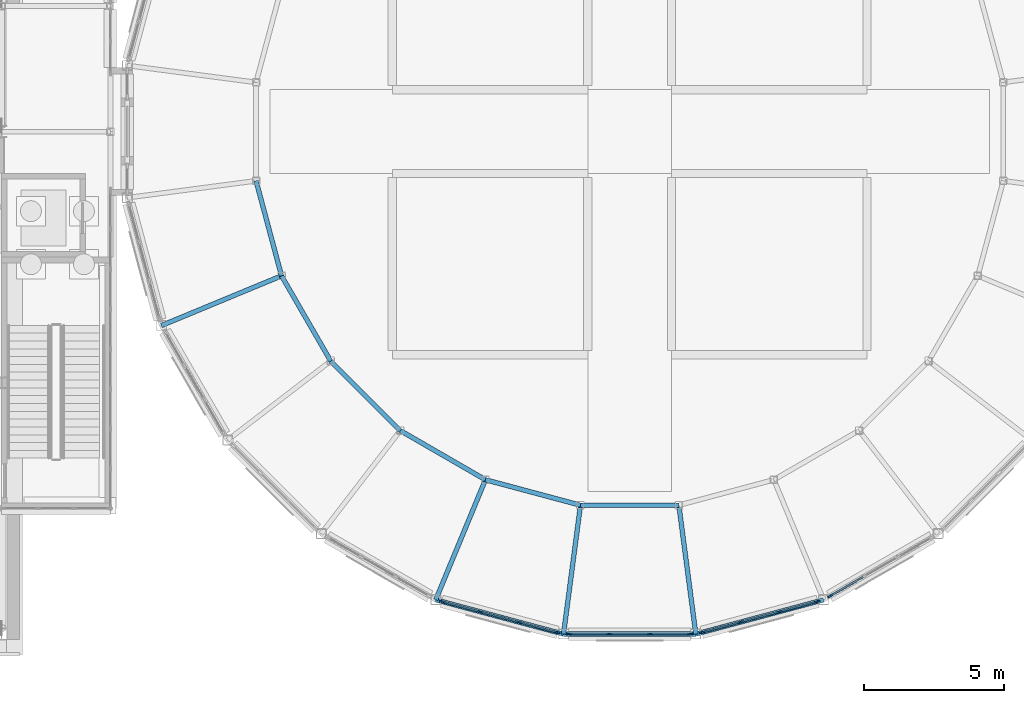
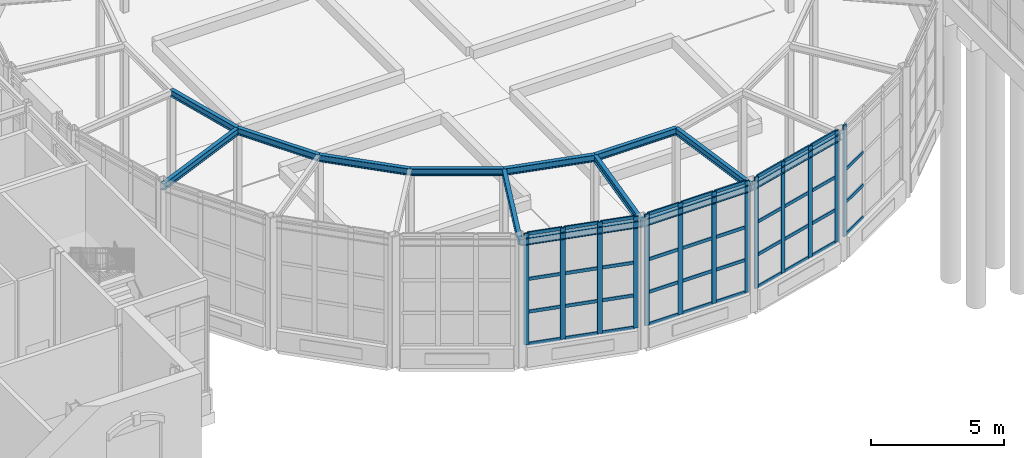
# One storey, part 28 of 106: 52 members, 13 beams, 4 elements without a shape of their own.
"""IFC4 building model written with IfcOpenShell, lengths in metres."""

from ifc_helpers import new_model, si_unit, direction, frame, origin, origin_2d, place, context, subcontext, project, spatial, rectangle, i_section, extrude, material, layer, layer_set, material_profile, profile_set, type_object, element, aggregate, save


model = new_model("IFC4")

# Units and contexts
model_context = context("Model", 3, precision=1e-05, world=origin(), true_north=direction((0.0, 1.0)))
body_context = subcontext(model_context, "Body", "Model", "MODEL_VIEW")
ifc_project = project(units=[si_unit("LENGTHUNIT", "METRE"), si_unit("AREAUNIT", "SQUARE_METRE"), si_unit("VOLUMEUNIT", "CUBIC_METRE"), si_unit("PLANEANGLEUNIT", "RADIAN"), si_unit("MASSUNIT", "GRAM", prefix="KILO")], contexts=[model_context])

# Site, building, storey
site_placement = place(None, origin())
site = spatial("IfcSite", under=ifc_project, at=site_placement, CompositionType="ELEMENT")
building_placement = place(site_placement, origin())
building = spatial("IfcBuilding", under=site, at=building_placement, Name="Hortulan Conservatory and Botanical Research Centre", CompositionType="ELEMENT")
storey_placement = place(building_placement, origin())
storey = spatial("IfcBuildingStorey", under=building, at=storey_placement, Name="L00", CompositionType="ELEMENT", Elevation=0.0)

# Curtain wall, members
ifc_material_1 = material(Name="Bronze-finished aluminium", Category="aluminium")
ifc_layer = layer(ifc_material_1, 0.10009765625)
ifc_layer_set = layer_set([ifc_layer], Name="Bronze-framed Curtain Wall 1500 module")
curtain_wall_type = type_object("IfcCurtainWallType", Name="Bronze-framed Curtain Wall 1500 module", PredefinedType="NOTDEFINED", material=ifc_layer_set)
curtain_wall_1_placement = place(storey_placement, origin())
curtain_wall_1 = element("IfcCurtainWall", 1, at=curtain_wall_1_placement, inside=storey, type_object=curtain_wall_type, Name="Curtain wall", PredefinedType="NOTDEFINED")
ifc_material_profile_1 = material_profile(ifc_material_1, rectangle(XDim=0.06005859375, YDim=0.199951171875, at=origin_2d()), Name="Bronze Mullion 60x200")
ifc_profile_set_1 = profile_set([ifc_material_profile_1], Name="Bronze-finished aluminium")
member_type_1 = type_object("IfcMemberType", Name="Bronze Mullion 60x200", PredefinedType="MULLION", material=ifc_profile_set_1)
member_1_placement = place(storey_placement, frame((51.39404296875, 0.063232421875, 0.89990234375), z_axis=(0.0, 0.0, 1.0), x_axis=(-0.258831936284, -0.965922372015, 0.0)))
member_1 = element("IfcMember", 2, at=member_1_placement, type_object=member_type_1, Name="CW1 mullion 1", PredefinedType="MULLION", context=body_context, shape_type="SweptSolid", body=[
    extrude(rectangle(XDim=0.06005859375, YDim=0.199951171875, at=origin_2d()), origin(), (0.0, 0.0, 1.0), 5.10009765625),
])
member_2_placement = place(storey_placement, frame((50.034912109375, 0.427490234375, 0.89990234375), z_axis=(0.0, 0.0, 1.0), x_axis=(-0.258831936284, -0.965922372015, 0.0)))
member_2 = element("IfcMember", 3, at=member_2_placement, type_object=member_type_1, Name="CW1 mullion 2", PredefinedType="MULLION", context=body_context, shape_type="SweptSolid", body=[
    extrude(rectangle(XDim=0.06005859375, YDim=0.199951171875, at=origin_2d()), origin(), (0.0, 0.0, 1.0), 5.10009765625),
])
member_3_placement = place(storey_placement, frame((48.64697265625, 0.79931640625, 0.89990234375), z_axis=(0.0, 0.0, 1.0), x_axis=(-0.258831936284, -0.965922372015, 0.0)))
member_3 = element("IfcMember", 4, at=member_3_placement, type_object=member_type_1, Name="CW1 mullion 3", PredefinedType="MULLION", context=body_context, shape_type="SweptSolid", body=[
    extrude(rectangle(XDim=0.06005859375, YDim=0.199951171875, at=origin_2d()), origin(), (0.0, 0.0, 1.0), 5.10009765625),
])
member_4_placement = place(storey_placement, frame((47.2880859375, 1.16357421875, 0.89990234375), z_axis=(0.0, 0.0, 1.0), x_axis=(-0.258831936284, -0.965922372015, 0.0)))
member_4 = element("IfcMember", 5, at=member_4_placement, type_object=member_type_1, Name="CW1 mullion 4", PredefinedType="MULLION", context=body_context, shape_type="SweptSolid", body=[
    extrude(rectangle(XDim=0.06005859375, YDim=0.199951171875, at=origin_2d()), origin(), (0.0, 0.0, 1.0), 5.10009765625),
])

curtain_wall_2_placement = place(storey_placement, origin())
curtain_wall_2 = element("IfcCurtainWall", 6, at=curtain_wall_2_placement, inside=storey, type_object=curtain_wall_type, Name="Curtain wall", PredefinedType="NOTDEFINED")
member_5_placement = place(storey_placement, frame((56.1650390625, 0.0, 0.89990234375), z_axis=(0.0, 0.0, 1.0), x_axis=(0.0, -1.0, 0.0)))
member_5 = element("IfcMember", 7, at=member_5_placement, type_object=member_type_1, Name="CW1 mullion 1", PredefinedType="MULLION", context=body_context, shape_type="SweptSolid", body=[
    extrude(rectangle(XDim=0.06005859375, YDim=0.199951171875, at=origin_2d()), origin(), (0.0, 0.0, 1.0), 5.10009765625),
])
member_6_placement = place(storey_placement, frame((54.731689453125, 0.0, 0.89990234375), z_axis=(0.0, 0.0, 1.0), x_axis=(0.0, -1.0, 0.0)))
member_6 = element("IfcMember", 8, at=member_6_placement, type_object=member_type_1, Name="CW1 mullion 2", PredefinedType="MULLION", context=body_context, shape_type="SweptSolid", body=[
    extrude(rectangle(XDim=0.06005859375, YDim=0.199951171875, at=origin_2d()), origin(), (0.0, 0.0, 1.0), 5.10009765625),
])
member_7_placement = place(storey_placement, frame((53.268310546875, 0.0, 0.89990234375), z_axis=(0.0, 0.0, 1.0), x_axis=(0.0, -1.0, 0.0)))
member_7 = element("IfcMember", 9, at=member_7_placement, type_object=member_type_1, Name="CW1 mullion 3", PredefinedType="MULLION", context=body_context, shape_type="SweptSolid", body=[
    extrude(rectangle(XDim=0.06005859375, YDim=0.199951171875, at=origin_2d()), origin(), (0.0, 0.0, 1.0), 5.10009765625),
])
member_8_placement = place(storey_placement, frame((51.8349609375, 0.0, 0.89990234375), z_axis=(0.0, 0.0, 1.0), x_axis=(0.0, -1.0, 0.0)))
member_8 = element("IfcMember", 10, at=member_8_placement, type_object=member_type_1, Name="CW1 mullion 4", PredefinedType="MULLION", context=body_context, shape_type="SweptSolid", body=[
    extrude(rectangle(XDim=0.06005859375, YDim=0.199951171875, at=origin_2d()), origin(), (0.0, 0.0, 1.0), 5.10009765625),
])

curtain_wall_3_placement = place(storey_placement, origin())
curtain_wall_3 = element("IfcCurtainWall", 11, at=curtain_wall_3_placement, inside=storey, type_object=curtain_wall_type, Name="Curtain wall", PredefinedType="NOTDEFINED")
member_9_placement = place(storey_placement, frame((60.7119140625, 1.16357421875, 0.89990234375), z_axis=(0.0, 0.0, 1.0), x_axis=(0.258831936284, -0.965922372015, 0.0)))
member_9 = element("IfcMember", 12, at=member_9_placement, type_object=member_type_1, Name="CW1 mullion 1", PredefinedType="MULLION", context=body_context, shape_type="SweptSolid", body=[
    extrude(rectangle(XDim=0.06005859375, YDim=0.199951171875, at=origin_2d()), origin(), (0.0, 0.0, 1.0), 5.10009765625),
])
member_10_placement = place(storey_placement, frame((59.35302734375, 0.79931640625, 0.89990234375), z_axis=(0.0, 0.0, 1.0), x_axis=(0.258831936284, -0.965922372015, 0.0)))
member_10 = element("IfcMember", 13, at=member_10_placement, type_object=member_type_1, Name="CW1 mullion 2", PredefinedType="MULLION", context=body_context, shape_type="SweptSolid", body=[
    extrude(rectangle(XDim=0.06005859375, YDim=0.199951171875, at=origin_2d()), origin(), (0.0, 0.0, 1.0), 5.10009765625),
])
member_11_placement = place(storey_placement, frame((57.965087890625, 0.427490234375, 0.89990234375), z_axis=(0.0, 0.0, 1.0), x_axis=(0.258831936284, -0.965922372015, 0.0)))
member_11 = element("IfcMember", 14, at=member_11_placement, type_object=member_type_1, Name="CW1 mullion 3", PredefinedType="MULLION", context=body_context, shape_type="SweptSolid", body=[
    extrude(rectangle(XDim=0.06005859375, YDim=0.199951171875, at=origin_2d()), origin(), (0.0, 0.0, 1.0), 5.10009765625),
])
member_12_placement = place(storey_placement, frame((56.60595703125, 0.063232421875, 0.89990234375), z_axis=(0.0, 0.0, 1.0), x_axis=(0.258831936284, -0.965922372015, 0.0)))
member_12 = element("IfcMember", 15, at=member_12_placement, type_object=member_type_1, Name="CW1 mullion 4", PredefinedType="MULLION", context=body_context, shape_type="SweptSolid", body=[
    extrude(rectangle(XDim=0.06005859375, YDim=0.199951171875, at=origin_2d()), origin(), (0.0, 0.0, 1.0), 5.10009765625),
])

# Curtain wall, member
curtain_wall_4_placement = place(storey_placement, origin())
curtain_wall_4 = element("IfcCurtainWall", 16, at=curtain_wall_4_placement, inside=storey, type_object=curtain_wall_type, Name="Curtain wall", PredefinedType="NOTDEFINED")
member_13_placement = place(storey_placement, frame((61.18115234375, 1.361328125, 0.89990234375), z_axis=(0.0, 0.0, 1.0), x_axis=(0.499981160235, -0.866036280655, 0.0)))
member_13 = element("IfcMember", 17, at=member_13_placement, type_object=member_type_1, Name="CW1 mullion 4", PredefinedType="MULLION", context=body_context, shape_type="SweptSolid", body=[
    extrude(rectangle(XDim=0.06005859375, YDim=0.199951171875, at=origin_2d()), origin(), (0.0, 0.0, 1.0), 5.10009765625),
])

# Member
ifc_material_profile_2 = material_profile(ifc_material_1, rectangle(XDim=0.06005859375, YDim=0.14990234375, at=origin_2d()), Name="Bronze Transom 60x150")
ifc_profile_set_2 = profile_set([ifc_material_profile_2], Name="Bronze-finished aluminium")
member_type_2 = type_object("IfcMemberType", Name="Bronze Transom 60x150", PredefinedType="USERDEFINED", material=ifc_profile_set_2)
member_14_placement = place(storey_placement, frame((51.364990234375, 0.071044921875, 0.929931640625), z_axis=(-0.965921351189, 0.258835745824, 0.0), x_axis=(-0.258835745824, -0.965921351189, 0.0)))
member_14 = element("IfcMember", 18, at=member_14_placement, type_object=member_type_2, Name="CW1 transom 1.1", ObjectType="TRANSOM", PredefinedType="USERDEFINED", context=body_context, shape_type="SweptSolid", body=[
    extrude(rectangle(XDim=0.06005859375, YDim=0.14990234375, at=origin_2d()), origin(), (0.0, 0.0, 1.0), 1.346923828125),
])

member_15_placement = place(storey_placement, frame((51.364990234375, 0.071044921875, 2.39990234375), z_axis=(-0.965921351189, 0.258835745824, 0.0), x_axis=(-0.258835745824, -0.965921351189, 0.0)))
member_15 = element("IfcMember", 19, at=member_15_placement, type_object=member_type_2, Name="CW1 transom 1.2", ObjectType="TRANSOM", PredefinedType="USERDEFINED", context=body_context, shape_type="SweptSolid", body=[
    extrude(rectangle(XDim=0.06005859375, YDim=0.14990234375, at=origin_2d()), origin(), (0.0, 0.0, 1.0), 1.346923828125),
])

member_16_placement = place(storey_placement, frame((51.364990234375, 0.071044921875, 3.89990234375), z_axis=(-0.965921351189, 0.258835745824, 0.0), x_axis=(-0.258835745824, -0.965921351189, 0.0)))
member_16 = element("IfcMember", 20, at=member_16_placement, type_object=member_type_2, Name="CW1 transom 1.3", ObjectType="TRANSOM", PredefinedType="USERDEFINED", context=body_context, shape_type="SweptSolid", body=[
    extrude(rectangle(XDim=0.06005859375, YDim=0.14990234375, at=origin_2d()), origin(), (0.0, 0.0, 1.0), 1.346923828125),
])

member_17_placement = place(storey_placement, frame((51.364990234375, 0.071044921875, 5.969970703125), z_axis=(-0.965921351189, 0.258835745824, 0.0), x_axis=(-0.258835745824, -0.965921351189, 0.0)))
member_17 = element("IfcMember", 21, at=member_17_placement, type_object=member_type_2, Name="CW1 transom 1.4", ObjectType="TRANSOM", PredefinedType="USERDEFINED", context=body_context, shape_type="SweptSolid", body=[
    extrude(rectangle(XDim=0.06005859375, YDim=0.14990234375, at=origin_2d()), origin(), (0.0, 0.0, 1.0), 1.346923828125),
])

member_18_placement = place(storey_placement, frame((50.006103515625, 0.435302734375, 0.929931640625), z_axis=(-0.965960711262, 0.258688817498, 0.0), x_axis=(-0.258688817498, -0.965960711262, 0.0)))
member_18 = element("IfcMember", 22, at=member_18_placement, type_object=member_type_2, Name="CW1 transom 2.1", ObjectType="TRANSOM", PredefinedType="USERDEFINED", context=body_context, shape_type="SweptSolid", body=[
    extrude(rectangle(XDim=0.06005859375, YDim=0.14990234375, at=origin_2d()), origin(), (0.0, 0.0, 1.0), 1.376953125),
])

member_19_placement = place(storey_placement, frame((50.006103515625, 0.435302734375, 2.39990234375), z_axis=(-0.965960711262, 0.258688817498, 0.0), x_axis=(-0.258688817498, -0.965960711262, 0.0)))
member_19 = element("IfcMember", 23, at=member_19_placement, type_object=member_type_2, Name="CW1 transom 2.2", ObjectType="TRANSOM", PredefinedType="USERDEFINED", context=body_context, shape_type="SweptSolid", body=[
    extrude(rectangle(XDim=0.06005859375, YDim=0.14990234375, at=origin_2d()), origin(), (0.0, 0.0, 1.0), 1.376953125),
])

member_20_placement = place(storey_placement, frame((50.006103515625, 0.435302734375, 3.89990234375), z_axis=(-0.965960711262, 0.258688817498, 0.0), x_axis=(-0.258688817498, -0.965960711262, 0.0)))
member_20 = element("IfcMember", 24, at=member_20_placement, type_object=member_type_2, Name="CW1 transom 2.3", ObjectType="TRANSOM", PredefinedType="USERDEFINED", context=body_context, shape_type="SweptSolid", body=[
    extrude(rectangle(XDim=0.06005859375, YDim=0.14990234375, at=origin_2d()), origin(), (0.0, 0.0, 1.0), 1.376953125),
])

member_21_placement = place(storey_placement, frame((50.006103515625, 0.435302734375, 5.969970703125), z_axis=(-0.965960711262, 0.258688817498, 0.0), x_axis=(-0.258688817498, -0.965960711262, 0.0)))
member_21 = element("IfcMember", 25, at=member_21_placement, type_object=member_type_2, Name="CW1 transom 2.4", ObjectType="TRANSOM", PredefinedType="USERDEFINED", context=body_context, shape_type="SweptSolid", body=[
    extrude(rectangle(XDim=0.06005859375, YDim=0.14990234375, at=origin_2d()), origin(), (0.0, 0.0, 1.0), 1.376953125),
])

member_22_placement = place(storey_placement, frame((48.617919921875, 0.80712890625, 0.929931640625), z_axis=(-0.965921351189, 0.258835745824, 0.0), x_axis=(-0.258835745824, -0.965921351189, 0.0)))
member_22 = element("IfcMember", 26, at=member_22_placement, type_object=member_type_2, Name="CW1 transom 3.1", ObjectType="TRANSOM", PredefinedType="USERDEFINED", context=body_context, shape_type="SweptSolid", body=[
    extrude(rectangle(XDim=0.06005859375, YDim=0.14990234375, at=origin_2d()), origin(), (0.0, 0.0, 1.0), 1.346923828125),
])

member_23_placement = place(storey_placement, frame((48.617919921875, 0.80712890625, 2.39990234375), z_axis=(-0.965921351189, 0.258835745824, 0.0), x_axis=(-0.258835745824, -0.965921351189, 0.0)))
member_23 = element("IfcMember", 27, at=member_23_placement, type_object=member_type_2, Name="CW1 transom 3.2", ObjectType="TRANSOM", PredefinedType="USERDEFINED", context=body_context, shape_type="SweptSolid", body=[
    extrude(rectangle(XDim=0.06005859375, YDim=0.14990234375, at=origin_2d()), origin(), (0.0, 0.0, 1.0), 1.346923828125),
])

member_24_placement = place(storey_placement, frame((48.617919921875, 0.80712890625, 3.89990234375), z_axis=(-0.965921351189, 0.258835745824, 0.0), x_axis=(-0.258835745824, -0.965921351189, 0.0)))
member_24 = element("IfcMember", 28, at=member_24_placement, type_object=member_type_2, Name="CW1 transom 3.3", ObjectType="TRANSOM", PredefinedType="USERDEFINED", context=body_context, shape_type="SweptSolid", body=[
    extrude(rectangle(XDim=0.06005859375, YDim=0.14990234375, at=origin_2d()), origin(), (0.0, 0.0, 1.0), 1.346923828125),
])

member_25_placement = place(storey_placement, frame((48.617919921875, 0.80712890625, 5.969970703125), z_axis=(-0.965921351189, 0.258835745824, 0.0), x_axis=(-0.258835745824, -0.965921351189, 0.0)))
member_25 = element("IfcMember", 29, at=member_25_placement, type_object=member_type_2, Name="CW1 transom 3.4", ObjectType="TRANSOM", PredefinedType="USERDEFINED", context=body_context, shape_type="SweptSolid", body=[
    extrude(rectangle(XDim=0.06005859375, YDim=0.14990234375, at=origin_2d()), origin(), (0.0, 0.0, 1.0), 1.346923828125),
])

aggregate(curtain_wall_1, [member_1, member_2, member_3, member_4, member_14, member_15, member_16, member_17, member_18, member_19, member_20, member_21, member_22, member_23, member_24, member_25])

member_26_placement = place(storey_placement, frame((56.135009765625, 0.0, 0.929931640625), z_axis=(-1.0, 0.0, 0.0), x_axis=(0.0, -1.0, 0.0)))
member_26 = element("IfcMember", 30, at=member_26_placement, type_object=member_type_2, Name="CW1 transom 1.1", ObjectType="TRANSOM", PredefinedType="USERDEFINED", context=body_context, shape_type="SweptSolid", body=[
    extrude(rectangle(XDim=0.06005859375, YDim=0.14990234375, at=origin_2d()), origin(), (0.0, 0.0, 1.0), 1.373291015625),
])

member_27_placement = place(storey_placement, frame((56.135009765625, 0.0, 2.39990234375), z_axis=(-1.0, 0.0, 0.0), x_axis=(0.0, -1.0, 0.0)))
member_27 = element("IfcMember", 31, at=member_27_placement, type_object=member_type_2, Name="CW1 transom 1.2", ObjectType="TRANSOM", PredefinedType="USERDEFINED", context=body_context, shape_type="SweptSolid", body=[
    extrude(rectangle(XDim=0.06005859375, YDim=0.14990234375, at=origin_2d()), origin(), (0.0, 0.0, 1.0), 1.373291015625),
])

member_28_placement = place(storey_placement, frame((56.135009765625, 0.0, 3.89990234375), z_axis=(-1.0, 0.0, 0.0), x_axis=(0.0, -1.0, 0.0)))
member_28 = element("IfcMember", 32, at=member_28_placement, type_object=member_type_2, Name="CW1 transom 1.3", ObjectType="TRANSOM", PredefinedType="USERDEFINED", context=body_context, shape_type="SweptSolid", body=[
    extrude(rectangle(XDim=0.06005859375, YDim=0.14990234375, at=origin_2d()), origin(), (0.0, 0.0, 1.0), 1.373291015625),
])

member_29_placement = place(storey_placement, frame((56.135009765625, 0.0, 5.969970703125), z_axis=(-1.0, 0.0, 0.0), x_axis=(0.0, -1.0, 0.0)))
member_29 = element("IfcMember", 33, at=member_29_placement, type_object=member_type_2, Name="CW1 transom 1.4", ObjectType="TRANSOM", PredefinedType="USERDEFINED", context=body_context, shape_type="SweptSolid", body=[
    extrude(rectangle(XDim=0.06005859375, YDim=0.14990234375, at=origin_2d()), origin(), (0.0, 0.0, 1.0), 1.373291015625),
])

member_30_placement = place(storey_placement, frame((54.70166015625, 0.0, 0.929931640625), z_axis=(-1.0, 0.0, 0.0), x_axis=(0.0, -1.0, 0.0)))
member_30 = element("IfcMember", 34, at=member_30_placement, type_object=member_type_2, Name="CW1 transom 2.1", ObjectType="TRANSOM", PredefinedType="USERDEFINED", context=body_context, shape_type="SweptSolid", body=[
    extrude(rectangle(XDim=0.06005859375, YDim=0.14990234375, at=origin_2d()), origin(), (0.0, 0.0, 1.0), 1.4033203125),
])

member_31_placement = place(storey_placement, frame((54.70166015625, 0.0, 2.39990234375), z_axis=(-1.0, 0.0, 0.0), x_axis=(0.0, -1.0, 0.0)))
member_31 = element("IfcMember", 35, at=member_31_placement, type_object=member_type_2, Name="CW1 transom 2.2", ObjectType="TRANSOM", PredefinedType="USERDEFINED", context=body_context, shape_type="SweptSolid", body=[
    extrude(rectangle(XDim=0.06005859375, YDim=0.14990234375, at=origin_2d()), origin(), (0.0, 0.0, 1.0), 1.4033203125),
])

member_32_placement = place(storey_placement, frame((54.70166015625, 0.0, 3.89990234375), z_axis=(-1.0, 0.0, 0.0), x_axis=(0.0, -1.0, 0.0)))
member_32 = element("IfcMember", 36, at=member_32_placement, type_object=member_type_2, Name="CW1 transom 2.3", ObjectType="TRANSOM", PredefinedType="USERDEFINED", context=body_context, shape_type="SweptSolid", body=[
    extrude(rectangle(XDim=0.06005859375, YDim=0.14990234375, at=origin_2d()), origin(), (0.0, 0.0, 1.0), 1.4033203125),
])

member_33_placement = place(storey_placement, frame((54.70166015625, 0.0, 5.969970703125), z_axis=(-1.0, 0.0, 0.0), x_axis=(0.0, -1.0, 0.0)))
member_33 = element("IfcMember", 37, at=member_33_placement, type_object=member_type_2, Name="CW1 transom 2.4", ObjectType="TRANSOM", PredefinedType="USERDEFINED", context=body_context, shape_type="SweptSolid", body=[
    extrude(rectangle(XDim=0.06005859375, YDim=0.14990234375, at=origin_2d()), origin(), (0.0, 0.0, 1.0), 1.4033203125),
])

member_34_placement = place(storey_placement, frame((53.23828125, 0.0, 0.929931640625), z_axis=(-1.0, 0.0, 0.0), x_axis=(0.0, -1.0, 0.0)))
member_34 = element("IfcMember", 38, at=member_34_placement, type_object=member_type_2, Name="CW1 transom 3.1", ObjectType="TRANSOM", PredefinedType="USERDEFINED", context=body_context, shape_type="SweptSolid", body=[
    extrude(rectangle(XDim=0.06005859375, YDim=0.14990234375, at=origin_2d()), origin(), (0.0, 0.0, 1.0), 1.373291015625),
])

member_35_placement = place(storey_placement, frame((53.23828125, 0.0, 2.39990234375), z_axis=(-1.0, 0.0, 0.0), x_axis=(0.0, -1.0, 0.0)))
member_35 = element("IfcMember", 39, at=member_35_placement, type_object=member_type_2, Name="CW1 transom 3.2", ObjectType="TRANSOM", PredefinedType="USERDEFINED", context=body_context, shape_type="SweptSolid", body=[
    extrude(rectangle(XDim=0.06005859375, YDim=0.14990234375, at=origin_2d()), origin(), (0.0, 0.0, 1.0), 1.373291015625),
])

member_36_placement = place(storey_placement, frame((53.23828125, 0.0, 3.89990234375), z_axis=(-1.0, 0.0, 0.0), x_axis=(0.0, -1.0, 0.0)))
member_36 = element("IfcMember", 40, at=member_36_placement, type_object=member_type_2, Name="CW1 transom 3.3", ObjectType="TRANSOM", PredefinedType="USERDEFINED", context=body_context, shape_type="SweptSolid", body=[
    extrude(rectangle(XDim=0.06005859375, YDim=0.14990234375, at=origin_2d()), origin(), (0.0, 0.0, 1.0), 1.373291015625),
])

member_37_placement = place(storey_placement, frame((53.23828125, 0.0, 5.969970703125), z_axis=(-1.0, 0.0, 0.0), x_axis=(0.0, -1.0, 0.0)))
member_37 = element("IfcMember", 41, at=member_37_placement, type_object=member_type_2, Name="CW1 transom 3.4", ObjectType="TRANSOM", PredefinedType="USERDEFINED", context=body_context, shape_type="SweptSolid", body=[
    extrude(rectangle(XDim=0.06005859375, YDim=0.14990234375, at=origin_2d()), origin(), (0.0, 0.0, 1.0), 1.373291015625),
])

aggregate(curtain_wall_2, [member_5, member_6, member_7, member_8, member_26, member_27, member_28, member_29, member_30, member_31, member_32, member_33, member_34, member_35, member_36, member_37])

member_38_placement = place(storey_placement, frame((60.68310546875, 1.15576171875, 0.929931640625), z_axis=(-0.965921351189, -0.258835745824, 0.0), x_axis=(0.258835745824, -0.965921351189, 0.0)))
member_38 = element("IfcMember", 42, at=member_38_placement, type_object=member_type_2, Name="CW1 transom 1.1", ObjectType="TRANSOM", PredefinedType="USERDEFINED", context=body_context, shape_type="SweptSolid", body=[
    extrude(rectangle(XDim=0.06005859375, YDim=0.14990234375, at=origin_2d()), origin(), (0.0, 0.0, 1.0), 1.346923828125),
])

member_39_placement = place(storey_placement, frame((60.68310546875, 1.15576171875, 2.39990234375), z_axis=(-0.965921351189, -0.258835745824, 0.0), x_axis=(0.258835745824, -0.965921351189, 0.0)))
member_39 = element("IfcMember", 43, at=member_39_placement, type_object=member_type_2, Name="CW1 transom 1.2", ObjectType="TRANSOM", PredefinedType="USERDEFINED", context=body_context, shape_type="SweptSolid", body=[
    extrude(rectangle(XDim=0.06005859375, YDim=0.14990234375, at=origin_2d()), origin(), (0.0, 0.0, 1.0), 1.346923828125),
])

member_40_placement = place(storey_placement, frame((60.68310546875, 1.15576171875, 3.89990234375), z_axis=(-0.965921351189, -0.258835745824, 0.0), x_axis=(0.258835745824, -0.965921351189, 0.0)))
member_40 = element("IfcMember", 44, at=member_40_placement, type_object=member_type_2, Name="CW1 transom 1.3", ObjectType="TRANSOM", PredefinedType="USERDEFINED", context=body_context, shape_type="SweptSolid", body=[
    extrude(rectangle(XDim=0.06005859375, YDim=0.14990234375, at=origin_2d()), origin(), (0.0, 0.0, 1.0), 1.346923828125),
])

member_41_placement = place(storey_placement, frame((60.68310546875, 1.15576171875, 5.969970703125), z_axis=(-0.965921351189, -0.258835745824, 0.0), x_axis=(0.258835745824, -0.965921351189, 0.0)))
member_41 = element("IfcMember", 45, at=member_41_placement, type_object=member_type_2, Name="CW1 transom 1.4", ObjectType="TRANSOM", PredefinedType="USERDEFINED", context=body_context, shape_type="SweptSolid", body=[
    extrude(rectangle(XDim=0.06005859375, YDim=0.14990234375, at=origin_2d()), origin(), (0.0, 0.0, 1.0), 1.346923828125),
])

member_42_placement = place(storey_placement, frame((59.323974609375, 0.79150390625, 0.929931640625), z_axis=(-0.965960711262, -0.258688817498, 0.0), x_axis=(0.258688817498, -0.965960711262, 0.0)))
member_42 = element("IfcMember", 46, at=member_42_placement, type_object=member_type_2, Name="CW1 transom 2.1", ObjectType="TRANSOM", PredefinedType="USERDEFINED", context=body_context, shape_type="SweptSolid", body=[
    extrude(rectangle(XDim=0.06005859375, YDim=0.14990234375, at=origin_2d()), origin(), (0.0, 0.0, 1.0), 1.376953125),
])

member_43_placement = place(storey_placement, frame((59.323974609375, 0.79150390625, 2.39990234375), z_axis=(-0.965960711262, -0.258688817498, 0.0), x_axis=(0.258688817498, -0.965960711262, 0.0)))
member_43 = element("IfcMember", 47, at=member_43_placement, type_object=member_type_2, Name="CW1 transom 2.2", ObjectType="TRANSOM", PredefinedType="USERDEFINED", context=body_context, shape_type="SweptSolid", body=[
    extrude(rectangle(XDim=0.06005859375, YDim=0.14990234375, at=origin_2d()), origin(), (0.0, 0.0, 1.0), 1.376953125),
])

member_44_placement = place(storey_placement, frame((59.323974609375, 0.79150390625, 3.89990234375), z_axis=(-0.965960711262, -0.258688817498, 0.0), x_axis=(0.258688817498, -0.965960711262, 0.0)))
member_44 = element("IfcMember", 48, at=member_44_placement, type_object=member_type_2, Name="CW1 transom 2.3", ObjectType="TRANSOM", PredefinedType="USERDEFINED", context=body_context, shape_type="SweptSolid", body=[
    extrude(rectangle(XDim=0.06005859375, YDim=0.14990234375, at=origin_2d()), origin(), (0.0, 0.0, 1.0), 1.376953125),
])

member_45_placement = place(storey_placement, frame((59.323974609375, 0.79150390625, 5.969970703125), z_axis=(-0.965960711262, -0.258688817498, 0.0), x_axis=(0.258688817498, -0.965960711262, 0.0)))
member_45 = element("IfcMember", 49, at=member_45_placement, type_object=member_type_2, Name="CW1 transom 2.4", ObjectType="TRANSOM", PredefinedType="USERDEFINED", context=body_context, shape_type="SweptSolid", body=[
    extrude(rectangle(XDim=0.06005859375, YDim=0.14990234375, at=origin_2d()), origin(), (0.0, 0.0, 1.0), 1.376953125),
])

member_46_placement = place(storey_placement, frame((57.93603515625, 0.419677734375, 0.929931640625), z_axis=(-0.965921351189, -0.258835745824, 0.0), x_axis=(0.258835745824, -0.965921351189, 0.0)))
member_46 = element("IfcMember", 50, at=member_46_placement, type_object=member_type_2, Name="CW1 transom 3.1", ObjectType="TRANSOM", PredefinedType="USERDEFINED", context=body_context, shape_type="SweptSolid", body=[
    extrude(rectangle(XDim=0.06005859375, YDim=0.14990234375, at=origin_2d()), origin(), (0.0, 0.0, 1.0), 1.346923828125),
])

member_47_placement = place(storey_placement, frame((57.93603515625, 0.419677734375, 2.39990234375), z_axis=(-0.965921351189, -0.258835745824, 0.0), x_axis=(0.258835745824, -0.965921351189, 0.0)))
member_47 = element("IfcMember", 51, at=member_47_placement, type_object=member_type_2, Name="CW1 transom 3.2", ObjectType="TRANSOM", PredefinedType="USERDEFINED", context=body_context, shape_type="SweptSolid", body=[
    extrude(rectangle(XDim=0.06005859375, YDim=0.14990234375, at=origin_2d()), origin(), (0.0, 0.0, 1.0), 1.346923828125),
])

member_48_placement = place(storey_placement, frame((57.93603515625, 0.419677734375, 3.89990234375), z_axis=(-0.965921351189, -0.258835745824, 0.0), x_axis=(0.258835745824, -0.965921351189, 0.0)))
member_48 = element("IfcMember", 52, at=member_48_placement, type_object=member_type_2, Name="CW1 transom 3.3", ObjectType="TRANSOM", PredefinedType="USERDEFINED", context=body_context, shape_type="SweptSolid", body=[
    extrude(rectangle(XDim=0.06005859375, YDim=0.14990234375, at=origin_2d()), origin(), (0.0, 0.0, 1.0), 1.346923828125),
])

member_49_placement = place(storey_placement, frame((57.93603515625, 0.419677734375, 5.969970703125), z_axis=(-0.965921351189, -0.258835745824, 0.0), x_axis=(0.258835745824, -0.965921351189, 0.0)))
member_49 = element("IfcMember", 53, at=member_49_placement, type_object=member_type_2, Name="CW1 transom 3.4", ObjectType="TRANSOM", PredefinedType="USERDEFINED", context=body_context, shape_type="SweptSolid", body=[
    extrude(rectangle(XDim=0.06005859375, YDim=0.14990234375, at=origin_2d()), origin(), (0.0, 0.0, 1.0), 1.346923828125),
])

aggregate(curtain_wall_3, [member_9, member_10, member_11, member_12, member_38, member_39, member_40, member_41, member_42, member_43, member_44, member_45, member_46, member_47, member_48, member_49])

member_50_placement = place(storey_placement, frame((62.359130859375, 2.04150390625, 0.929931640625), z_axis=(-0.866066400931, -0.499928984136, 0.0), x_axis=(0.499928984136, -0.866066400931, 0.0)))
member_50 = element("IfcMember", 54, at=member_50_placement, type_object=member_type_2, Name="CW1 transom 3.1", ObjectType="TRANSOM", PredefinedType="USERDEFINED", context=body_context, shape_type="SweptSolid", body=[
    extrude(rectangle(XDim=0.06005859375, YDim=0.14990234375, at=origin_2d()), origin(), (0.0, 0.0, 1.0), 1.330322265625),
])

member_51_placement = place(storey_placement, frame((62.359130859375, 2.04150390625, 2.39990234375), z_axis=(-0.866066400931, -0.499928984136, 0.0), x_axis=(0.499928984136, -0.866066400931, 0.0)))
member_51 = element("IfcMember", 55, at=member_51_placement, type_object=member_type_2, Name="CW1 transom 3.2", ObjectType="TRANSOM", PredefinedType="USERDEFINED", context=body_context, shape_type="SweptSolid", body=[
    extrude(rectangle(XDim=0.06005859375, YDim=0.14990234375, at=origin_2d()), origin(), (0.0, 0.0, 1.0), 1.330322265625),
])

member_52_placement = place(storey_placement, frame((62.359130859375, 2.04150390625, 3.89990234375), z_axis=(-0.866066400931, -0.499928984136, 0.0), x_axis=(0.499928984136, -0.866066400931, 0.0)))
member_52 = element("IfcMember", 56, at=member_52_placement, type_object=member_type_2, Name="CW1 transom 3.3", ObjectType="TRANSOM", PredefinedType="USERDEFINED", context=body_context, shape_type="SweptSolid", body=[
    extrude(rectangle(XDim=0.06005859375, YDim=0.14990234375, at=origin_2d()), origin(), (0.0, 0.0, 1.0), 1.330322265625),
])

aggregate(curtain_wall_4, [member_13, member_50, member_51, member_52])

# Beams
ifc_material_2 = material(Name="Steel Grade 300PLUS (AS/NZS 3679.1, 280 MPa minimum yield)", Category="steel")
ifc_material_profile_3 = material_profile(ifc_material_2, i_section(OverallWidth=0.166015625, OverallDepth=0.306884765625, WebThickness=0.006591796875, FlangeThickness=0.01171875, FilletRadius=0.011474609375, at=origin_2d()), Name="310UB46.2")
ifc_profile_set_3 = profile_set([ifc_material_profile_3], Name="Steel Grade 300PLUS (AS/NZS 3679.1, 280 MPa minimum yield)")
beam_type = type_object("IfcBeamType", Name="Dome Canopy Walk Beam 310UB46.2", PredefinedType="BEAM", material=ifc_profile_set_3)
for number, where, z_axis, x_axis, name in (
    (57, (41.527587890625, 12.833740234375, 5.646484375), (-0.92387556656, -0.382693006879, 0.0), (0.382693006879, -0.92387556656, 0.0), "Canopy walk radial beam 14"),
    (58, (48.833740234375, 5.527587890625, 5.646484375), (-0.382693006879, -0.92387556656, 0.0), (0.92387556656, -0.382693006879, 0.0), "Canopy walk radial beam 17"),
    (59, (52.23779296875, 4.615478515625, 5.646484375), (-0.130480288196, -0.991450903672, 0.0), (0.991450903672, -0.130480288196, 0.0), "Canopy walk radial beam 18"),
    (60, (55.76220703125, 4.615478515625, 5.646484375), (0.130480288196, -0.991450903672, 0.0), (0.991450903672, 0.130480288196, 0.0), "Canopy walk radial beam 19"),
):
    element("IfcBeam", number, at=place(storey_placement, frame(where, z_axis=z_axis, x_axis=x_axis)), inside=storey, type_object=beam_type, Name=name, PredefinedType="BEAM", context=body_context, shape_type="SweptSolid", body=[
        extrude(i_section(OverallWidth=0.166015625, OverallDepth=0.306884765625, WebThickness=0.006591796875, FlangeThickness=0.01171875, FilletRadius=0.011474609375, at=origin_2d()), origin(), (0.0, 0.0, 1.0), 4.6552734375),
    ])
beam_1_placement = place(storey_placement, frame((47.05224609375, 1.226806640625, 5.646484375), z_axis=(0.965920459439, -0.258839073629, 0.0), x_axis=(0.258839073629, 0.965920459439, 0.0)))
element("IfcBeam", 61, at=beam_1_placement, inside=storey, type_object=beam_type, Name="Canopy walk edge beam 17", PredefinedType="BEAM", context=body_context, shape_type="SweptSolid", body=[
    extrude(i_section(OverallWidth=0.166015625, OverallDepth=0.306884765625, WebThickness=0.006591796875, FlangeThickness=0.01171875, FilletRadius=0.011474609375, at=origin_2d()), origin(), (0.0, 0.0, 1.0), 4.73974609375),
])
beam_2_placement = place(storey_placement, frame((51.63037109375, 0.0, 5.646484375), z_axis=(1.0, 0.0, 0.0), x_axis=(0.0, 1.0, 0.0)))
element("IfcBeam", 62, at=beam_2_placement, inside=storey, type_object=beam_type, Name="Canopy walk edge beam 18", PredefinedType="BEAM", context=body_context, shape_type="SweptSolid", body=[
    extrude(i_section(OverallWidth=0.166015625, OverallDepth=0.306884765625, WebThickness=0.006591796875, FlangeThickness=0.01171875, FilletRadius=0.011474609375, at=origin_2d()), origin(), (0.0, 0.0, 1.0), 4.7392578125),
])
beam_3_placement = place(storey_placement, frame((56.36962890625, 0.0, 5.646484375), z_axis=(0.965920459439, 0.258839073629, 0.0), x_axis=(-0.258839073629, 0.965920459439, 0.0)))
element("IfcBeam", 63, at=beam_3_placement, inside=storey, type_object=beam_type, Name="Canopy walk edge beam 19", PredefinedType="BEAM", context=body_context, shape_type="SweptSolid", body=[
    extrude(i_section(OverallWidth=0.166015625, OverallDepth=0.306884765625, WebThickness=0.006591796875, FlangeThickness=0.01171875, FilletRadius=0.011474609375, at=origin_2d()), origin(), (0.0, 0.0, 1.0), 4.73974609375),
])
for number, where, z_axis, x_axis, name in (
    (64, (40.615478515625, 16.23779296875, 5.646484375), (0.258818037421, -0.965926096296, 0.0), (0.965926096296, 0.258818037421, 0.0), "Canopy walk inner beam 13"),
    (65, (41.527587890625, 12.833740234375, 5.646484375), (0.500028278809, -0.866009076391, 0.0), (0.866009076391, 0.500028278809, 0.0), "Canopy walk inner beam 14"),
    (66, (43.289794921875, 9.78173828125, 5.646484375), (0.707106781187, -0.707106781187, 0.0), (0.707106781187, 0.707106781187, 0.0), "Canopy walk inner beam 15"),
    (67, (45.78173828125, 7.289794921875, 5.646484375), (0.866009076391, -0.500028278809, 0.0), (0.500028278809, 0.866009076391, 0.0), "Canopy walk inner beam 16"),
    (68, (48.833740234375, 5.527587890625, 5.646484375), (0.965926096296, -0.258818037421, 0.0), (0.258818037421, 0.965926096296, 0.0), "Canopy walk inner beam 17"),
):
    element("IfcBeam", number, at=place(storey_placement, frame(where, z_axis=z_axis, x_axis=x_axis)), inside=storey, type_object=beam_type, Name=name, PredefinedType="BEAM", context=body_context, shape_type="SweptSolid", body=[
        extrude(i_section(OverallWidth=0.166015625, OverallDepth=0.306884765625, WebThickness=0.006591796875, FlangeThickness=0.01171875, FilletRadius=0.011474609375, at=origin_2d()), origin(), (0.0, 0.0, 1.0), 3.524169921875),
    ])
beam_4_placement = place(storey_placement, frame((52.23779296875, 4.615478515625, 5.646484375), z_axis=(1.0, 0.0, 0.0), x_axis=(0.0, 1.0, 0.0)))
element("IfcBeam", 69, at=beam_4_placement, inside=storey, type_object=beam_type, Name="Canopy walk inner beam 18", PredefinedType="BEAM", context=body_context, shape_type="SweptSolid", body=[
    extrude(i_section(OverallWidth=0.166015625, OverallDepth=0.306884765625, WebThickness=0.006591796875, FlangeThickness=0.01171875, FilletRadius=0.011474609375, at=origin_2d()), origin(), (0.0, 0.0, 1.0), 3.5244140625),
])

save(model, "model.ifc")
